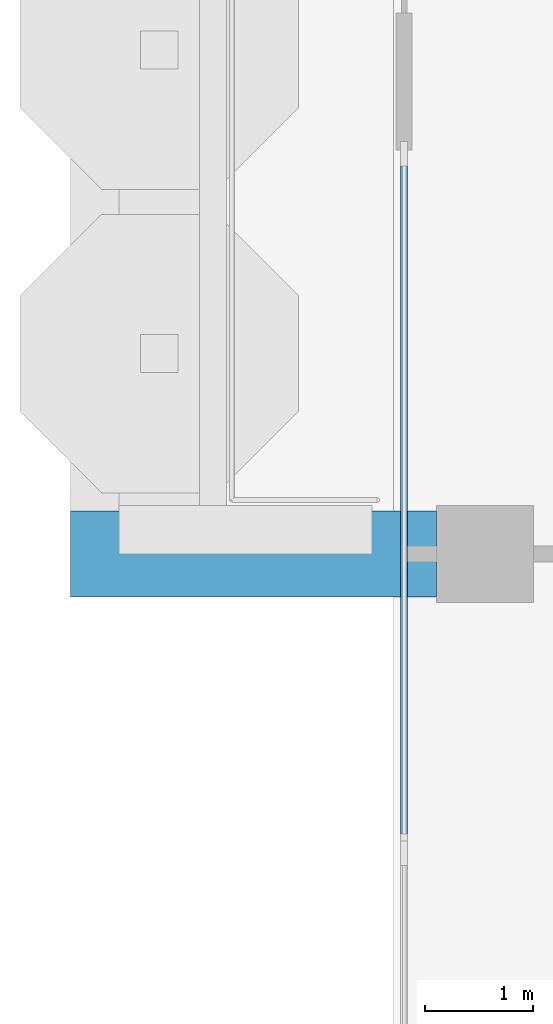
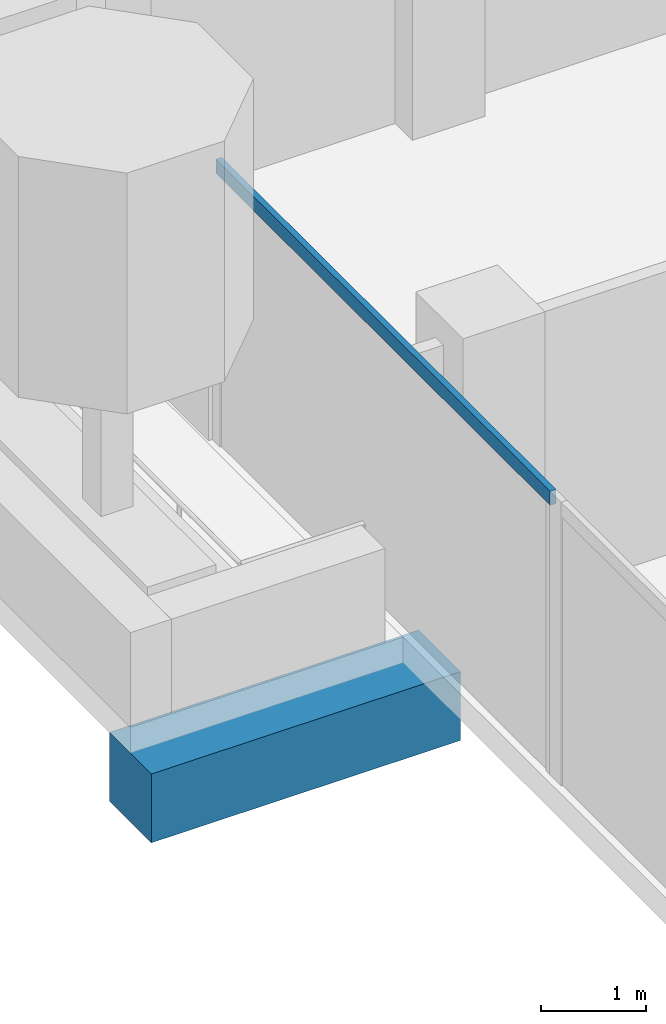
# One storey, part 3 of 18: 1 beam, 1 member, 1 element without a shape of its own.
"""IFC4 building model written with IfcOpenShell, lengths in metres."""

from ifc_helpers import new_model, si_unit, direction, frame, origin, origin_2d, place, context, subcontext, project, spatial, rectangle, extrude, material, material_profile, profile_set, type_object, element, aggregate, save


model = new_model("IFC4")

# Units and contexts
model_context = context("Model", 3, precision=1e-05, world=origin(), true_north=direction((0.0, 1.0)))
body_context = subcontext(model_context, "Body", "Model", "MODEL_VIEW")
ifc_project = project(units=[si_unit("LENGTHUNIT", "METRE"), si_unit("AREAUNIT", "SQUARE_METRE"), si_unit("VOLUMEUNIT", "CUBIC_METRE"), si_unit("PLANEANGLEUNIT", "RADIAN"), si_unit("MASSUNIT", "GRAM", prefix="KILO")], contexts=[model_context])

# Site, building, storey
site_placement = place(None, origin())
site = spatial("IfcSite", under=ifc_project, at=site_placement, CompositionType="ELEMENT")
building_placement = place(site_placement, origin())
building = spatial("IfcBuilding", under=site, at=building_placement, Name="Pilkhan Gate Tower", CompositionType="ELEMENT")
storey_placement = place(building_placement, frame((0.0, 0.0, 242.699951171875)))
storey = spatial("IfcBuildingStorey", under=building, at=storey_placement, Name="L63", CompositionType="ELEMENT", Elevation=242.699951171875)

# Beam
ifc_material_1 = material(Name="Concrete C50/60", Category="concrete")
ifc_material_profile_1 = material_profile(ifc_material_1, rectangle(XDim=0.800048828125, YDim=0.800048828125, at=origin_2d()), Name="RC 800x800")
ifc_profile_set_1 = profile_set([ifc_material_profile_1], Name="Concrete C50/60")
beam_type = type_object("IfcBeamType", Name="Cantilever beam CB2 RC 800x800 C50/60", PredefinedType="BEAM", material=ifc_profile_set_1)
beam_placement = place(storey_placement, frame((48.300048828125, 67.5, -0.699951171875), z_axis=(-1.0, 0.0, 0.0), x_axis=(0.0, -1.0, 0.0)))
element("IfcBeam", 1, at=beam_placement, inside=storey, type_object=beam_type, Name="Balcony beam W.1 L63", PredefinedType="BEAM", context=body_context, shape_type="SweptSolid", body=[
    extrude(rectangle(XDim=0.800048828125, YDim=0.800048828125, at=origin_2d()), origin(), (0.0, 0.0, 1.0), 3.400146484375),
])

# Curtain wall, member
ifc_material_2 = material(Name="Pale anodised aluminium, clear low-iron double glazing", Category="aluminium")
curtain_wall_type = type_object("IfcCurtainWallType", Name="Office unitised curtain wall CW-O2", PredefinedType="USERDEFINED", material=ifc_material_2)
curtain_wall_placement = place(storey_placement, origin())
curtain_wall = element("IfcCurtainWall", 2, at=curtain_wall_placement, inside=storey, type_object=curtain_wall_type, Name="Office unitised curtain wall CW-O2 L63 W", ObjectType="UNITISED CURTAIN WALL", PredefinedType="USERDEFINED")
ifc_material_3 = material(Name="Pale anodised aluminium", Category="aluminium")
ifc_material_profile_2 = material_profile(ifc_material_3, rectangle(XDim=0.06494140625, YDim=0.1650390625, at=origin_2d()), Name="Transom 165x65")
ifc_profile_set_2 = profile_set([ifc_material_profile_2], Name="Pale anodised aluminium")
member_type = type_object("IfcMemberType", Name="Transom CW-O2 165x65", PredefinedType="USERDEFINED", material=ifc_profile_set_2)
member_placement = place(storey_placement, frame((48.0, 64.81494140625, 3.217529296875), z_axis=(0.0, 1.0, 0.0), x_axis=(-1.0, 0.0, 0.0)))
member = element("IfcMember", 3, at=member_placement, type_object=member_type, Name="CW-O2 transom 1", ObjectType="TRANSOM", PredefinedType="USERDEFINED", context=body_context, shape_type="SweptSolid", body=[
    extrude(rectangle(XDim=0.06494140625, YDim=0.1650390625, at=origin_2d()), origin(), (0.0, 0.0, 1.0), 6.3701171875),
])
aggregate(curtain_wall, [member])

save(model, "model.ifc")
